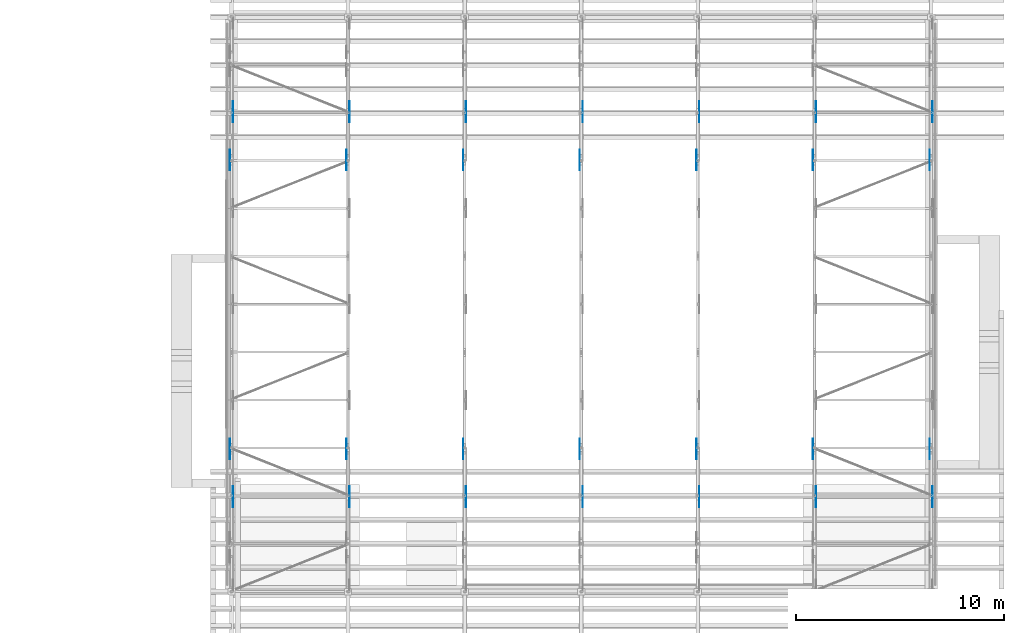
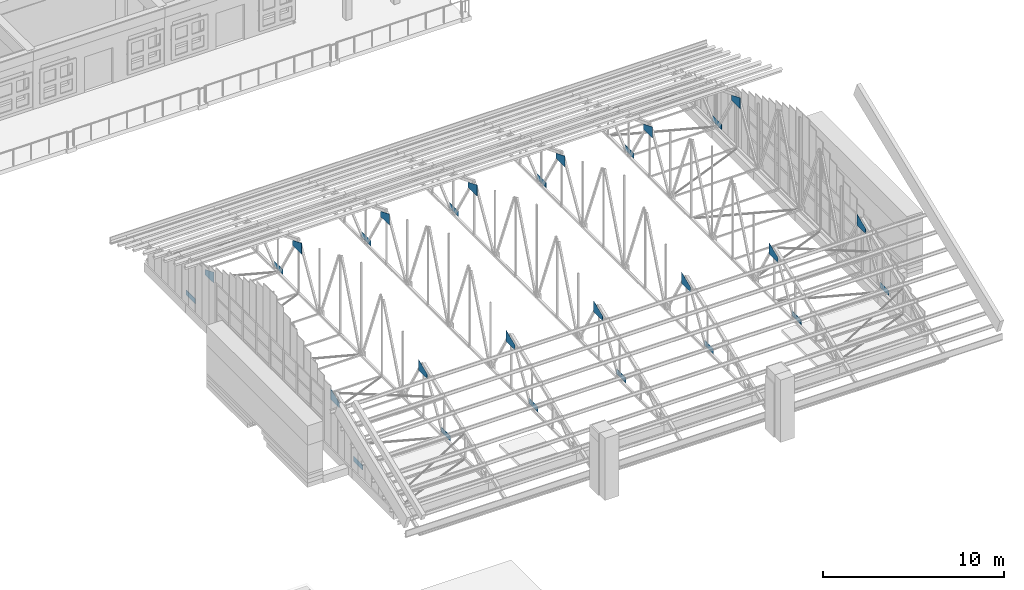
# One storey, part 46 of 71: 28 discrete accessories.
"""IFC4 building model written with IfcOpenShell, lengths in metres."""

from ifc_helpers import new_model, si_unit, direction, frame, origin, place, context, subcontext, project, spatial, polyline, outline, extrude, element, save


model = new_model("IFC4")

# Units and contexts
model_context = context("Model", 3, precision=1e-05, world=origin(), true_north=direction((0.0, 1.0)))
body_context = subcontext(model_context, "Body", "Model", "MODEL_VIEW")
ifc_project = project(units=[si_unit("LENGTHUNIT", "METRE"), si_unit("AREAUNIT", "SQUARE_METRE"), si_unit("VOLUMEUNIT", "CUBIC_METRE"), si_unit("PLANEANGLEUNIT", "RADIAN"), si_unit("MASSUNIT", "GRAM", prefix="KILO")], contexts=[model_context])

# Site, building, storey
site_placement = place(None, origin())
site = spatial("IfcSite", under=ifc_project, at=site_placement, CompositionType="ELEMENT")
building_placement = place(site_placement, origin())
building = spatial("IfcBuilding", under=site, at=building_placement, Name="Wasatch Bagh Community Centre", CompositionType="ELEMENT")
storey_placement = place(building_placement, frame((0.0, 0.0, 12.60009765625)))
storey = spatial("IfcBuildingStorey", under=building, at=storey_placement, Name="L03", CompositionType="ELEMENT", Elevation=12.60009765625)

# Discrete accessories
for number, where, z_axis, x_axis, name in (
    (1, (112.27587890625, 42.249755859375, 0.7626953125), (1.0, 0.0, 0.0), (0.0, 1.0, 0.0), "Gusset plate"),
    (2, (112.27587890625, 60.74609375, 0.7626953125), (1.0, 0.0, 0.0), (0.0, 1.0, 0.0), "Gusset plate"),
):
    element("IfcDiscreteAccessory", number, at=place(storey_placement, frame(where, z_axis=z_axis, x_axis=x_axis)), inside=storey, Name=name, PredefinedType="BRACKET", context=body_context, shape_type="SweptSolid", body=[
        extrude(outline(polyline([(0.0, 0.0), (1.004150390625, 0.0), (1.004150390625, 0.35009765625), (0.0, 0.35009765625), (0.0, 0.0)])), origin(), (0.0, 0.0, -1.0), 0.011962890625),
    ])
discrete_accessory_1_placement = place(storey_placement, frame((112.1240234375, 44.56884765625, 3.945556640625), z_axis=(-1.0, 0.0, 0.0), x_axis=(0.0, 0.926169454449, 0.37710759956)))
element("IfcDiscreteAccessory", 3, at=discrete_accessory_1_placement, inside=storey, Name="Gusset plate", PredefinedType="BRACKET", context=body_context, shape_type="SweptSolid", body=[
    extrude(outline(polyline([(0.0, 0.0), (0.5735991372292174, 0.0), (1.0626464231838049, -0.00015857187018553098), (0.7794474543738678, 0.695372981324423), (-0.13202448675989917, 0.3242497552929352), (0.0, 0.0)])), origin(), (0.0, 0.0, -1.0), 0.011962890625),
])
discrete_accessory_2_placement = place(storey_placement, frame((112.1240234375, 58.447021484375, 4.346435546875), z_axis=(-1.0, 0.0, 0.0), x_axis=(0.0, 0.92604712995, -0.377407886923)))
element("IfcDiscreteAccessory", 4, at=discrete_accessory_2_placement, inside=storey, Name="Gusset plate", PredefinedType="BRACKET", context=body_context, shape_type="SweptSolid", body=[
    extrude(outline(polyline([(0.0, 0.0), (0.48904731166277376, 2.7755575615628914e-17), (1.0626464187390938, -0.00018598750214571247), (1.194776035401086, 0.3240209422703349), (0.28342447758179057, 0.6954396903627269), (0.0, 0.0)])), origin(), (0.0, 0.0, -1.0), 0.011962890625),
])
for number, where, z_axis, x_axis, name in (
    (5, (117.8759765625, 42.249755859375, 0.7626953125), (1.0, 0.0, 0.0), (0.0, 1.0, 0.0), "Gusset plate"),
    (6, (117.8759765625, 60.74609375, 0.7626953125), (1.0, 0.0, 0.0), (0.0, 1.0, 0.0), "Gusset plate"),
):
    element("IfcDiscreteAccessory", number, at=place(storey_placement, frame(where, z_axis=z_axis, x_axis=x_axis)), inside=storey, Name=name, PredefinedType="BRACKET", context=body_context, shape_type="SweptSolid", body=[
        extrude(outline(polyline([(0.0, 0.0), (1.004150390625, 0.0), (1.004150390625, 0.35009765625), (0.0, 0.35009765625), (0.0, 0.0)])), origin(), (0.0, 0.0, -1.0), 0.011962890625),
    ])
discrete_accessory_3_placement = place(storey_placement, frame((117.72412109375, 44.56884765625, 3.945556640625), z_axis=(-1.0, 0.0, 0.0), x_axis=(0.0, 0.926169454449, 0.37710759956)))
element("IfcDiscreteAccessory", 7, at=discrete_accessory_3_placement, inside=storey, Name="Gusset plate", PredefinedType="BRACKET", context=body_context, shape_type="SweptSolid", body=[
    extrude(outline(polyline([(0.0, 0.0), (0.5735991372292174, 0.0), (1.0626464231838049, -0.00015857187018553098), (0.7794474543738678, 0.695372981324423), (-0.13202448675989917, 0.3242497552929352), (0.0, 0.0)])), origin(), (0.0, 0.0, -1.0), 0.011962890625),
])
discrete_accessory_4_placement = place(storey_placement, frame((117.72412109375, 58.447021484375, 4.346435546875), z_axis=(-1.0, 0.0, 0.0), x_axis=(0.0, 0.92604712995, -0.377407886923)))
element("IfcDiscreteAccessory", 8, at=discrete_accessory_4_placement, inside=storey, Name="Gusset plate", PredefinedType="BRACKET", context=body_context, shape_type="SweptSolid", body=[
    extrude(outline(polyline([(0.0, 0.0), (0.48904731166277376, 2.7755575615628914e-17), (1.0626464187390938, -0.00018598750214571247), (1.194776035401086, 0.3240209422703349), (0.28342447758179057, 0.6954396903627269), (0.0, 0.0)])), origin(), (0.0, 0.0, -1.0), 0.011962890625),
])
for number, where, z_axis, x_axis, name in (
    (9, (123.47607421875, 42.249755859375, 0.7626953125), (1.0, 0.0, 0.0), (0.0, 1.0, 0.0), "Gusset plate"),
    (10, (123.47607421875, 60.74609375, 0.7626953125), (1.0, 0.0, 0.0), (0.0, 1.0, 0.0), "Gusset plate"),
):
    element("IfcDiscreteAccessory", number, at=place(storey_placement, frame(where, z_axis=z_axis, x_axis=x_axis)), inside=storey, Name=name, PredefinedType="BRACKET", context=body_context, shape_type="SweptSolid", body=[
        extrude(outline(polyline([(0.0, 0.0), (1.004150390625, 0.0), (1.004150390625, 0.35009765625), (0.0, 0.35009765625), (0.0, 0.0)])), origin(), (0.0, 0.0, -1.0), 0.011962890625),
    ])
discrete_accessory_5_placement = place(storey_placement, frame((123.323974609375, 44.56884765625, 3.945556640625), z_axis=(-1.0, 0.0, 0.0), x_axis=(0.0, 0.926169454449, 0.37710759956)))
element("IfcDiscreteAccessory", 11, at=discrete_accessory_5_placement, inside=storey, Name="Gusset plate", PredefinedType="BRACKET", context=body_context, shape_type="SweptSolid", body=[
    extrude(outline(polyline([(0.0, 0.0), (0.5735991372292174, 0.0), (1.0626464231838049, -0.00015857187018553098), (0.7794474543738678, 0.695372981324423), (-0.13202448675989917, 0.3242497552929352), (0.0, 0.0)])), origin(), (0.0, 0.0, -1.0), 0.011962890625),
])
discrete_accessory_6_placement = place(storey_placement, frame((123.323974609375, 58.447021484375, 4.346435546875), z_axis=(-1.0, 0.0, 0.0), x_axis=(0.0, 0.92604712995, -0.377407886923)))
element("IfcDiscreteAccessory", 12, at=discrete_accessory_6_placement, inside=storey, Name="Gusset plate", PredefinedType="BRACKET", context=body_context, shape_type="SweptSolid", body=[
    extrude(outline(polyline([(0.0, 0.0), (0.48904731166277376, 2.7755575615628914e-17), (1.0626464187390938, -0.00018598750214571247), (1.194776035401086, 0.3240209422703349), (0.28342447758179057, 0.6954396903627269), (0.0, 0.0)])), origin(), (0.0, 0.0, -1.0), 0.011962890625),
])
for number, where, z_axis, x_axis, name in (
    (13, (129.075927734375, 42.249755859375, 0.7626953125), (1.0, 0.0, 0.0), (0.0, 1.0, 0.0), "Gusset plate"),
    (14, (129.075927734375, 60.74609375, 0.7626953125), (1.0, 0.0, 0.0), (0.0, 1.0, 0.0), "Gusset plate"),
):
    element("IfcDiscreteAccessory", number, at=place(storey_placement, frame(where, z_axis=z_axis, x_axis=x_axis)), inside=storey, Name=name, PredefinedType="BRACKET", context=body_context, shape_type="SweptSolid", body=[
        extrude(outline(polyline([(0.0, 0.0), (1.004150390625, 0.0), (1.004150390625, 0.35009765625), (0.0, 0.35009765625), (0.0, 0.0)])), origin(), (0.0, 0.0, -1.0), 0.011962890625),
    ])
discrete_accessory_7_placement = place(storey_placement, frame((128.924072265625, 44.56884765625, 3.945556640625), z_axis=(-1.0, 0.0, 0.0), x_axis=(0.0, 0.926169454449, 0.37710759956)))
element("IfcDiscreteAccessory", 15, at=discrete_accessory_7_placement, inside=storey, Name="Gusset plate", PredefinedType="BRACKET", context=body_context, shape_type="SweptSolid", body=[
    extrude(outline(polyline([(0.0, 0.0), (0.5735991372292174, 0.0), (1.0626464231838049, -0.00015857187018553098), (0.7794474543738678, 0.695372981324423), (-0.13202448675989917, 0.3242497552929352), (0.0, 0.0)])), origin(), (0.0, 0.0, -1.0), 0.011962890625),
])
discrete_accessory_8_placement = place(storey_placement, frame((128.924072265625, 58.447021484375, 4.346435546875), z_axis=(-1.0, 0.0, 0.0), x_axis=(0.0, 0.92604712995, -0.377407886923)))
element("IfcDiscreteAccessory", 16, at=discrete_accessory_8_placement, inside=storey, Name="Gusset plate", PredefinedType="BRACKET", context=body_context, shape_type="SweptSolid", body=[
    extrude(outline(polyline([(0.0, 0.0), (0.48904731166277376, 2.7755575615628914e-17), (1.0626464187390938, -0.00018598750214571247), (1.194776035401086, 0.3240209422703349), (0.28342447758179057, 0.6954396903627269), (0.0, 0.0)])), origin(), (0.0, 0.0, -1.0), 0.011962890625),
])
for number, where, z_axis, x_axis, name in (
    (17, (134.676025390625, 42.249755859375, 0.7626953125), (1.0, 0.0, 0.0), (0.0, 1.0, 0.0), "Gusset plate"),
    (18, (134.676025390625, 60.74609375, 0.7626953125), (1.0, 0.0, 0.0), (0.0, 1.0, 0.0), "Gusset plate"),
):
    element("IfcDiscreteAccessory", number, at=place(storey_placement, frame(where, z_axis=z_axis, x_axis=x_axis)), inside=storey, Name=name, PredefinedType="BRACKET", context=body_context, shape_type="SweptSolid", body=[
        extrude(outline(polyline([(0.0, 0.0), (1.004150390625, 0.0), (1.004150390625, 0.35009765625), (0.0, 0.35009765625), (0.0, 0.0)])), origin(), (0.0, 0.0, -1.0), 0.011962890625),
    ])
discrete_accessory_9_placement = place(storey_placement, frame((134.52392578125, 44.56884765625, 3.945556640625), z_axis=(-1.0, 0.0, 0.0), x_axis=(0.0, 0.926169454449, 0.37710759956)))
element("IfcDiscreteAccessory", 19, at=discrete_accessory_9_placement, inside=storey, Name="Gusset plate", PredefinedType="BRACKET", context=body_context, shape_type="SweptSolid", body=[
    extrude(outline(polyline([(0.0, 0.0), (0.5735991372292174, 0.0), (1.0626464231838049, -0.00015857187018553098), (0.7794474543738678, 0.695372981324423), (-0.13202448675989917, 0.3242497552929352), (0.0, 0.0)])), origin(), (0.0, 0.0, -1.0), 0.011962890625),
])
discrete_accessory_10_placement = place(storey_placement, frame((134.52392578125, 58.447021484375, 4.346435546875), z_axis=(-1.0, 0.0, 0.0), x_axis=(0.0, 0.92604712995, -0.377407886923)))
element("IfcDiscreteAccessory", 20, at=discrete_accessory_10_placement, inside=storey, Name="Gusset plate", PredefinedType="BRACKET", context=body_context, shape_type="SweptSolid", body=[
    extrude(outline(polyline([(0.0, 0.0), (0.48904731166277376, 2.7755575615628914e-17), (1.0626464187390938, -0.00018598750214571247), (1.194776035401086, 0.3240209422703349), (0.28342447758179057, 0.6954396903627269), (0.0, 0.0)])), origin(), (0.0, 0.0, -1.0), 0.011962890625),
])
for number, where, z_axis, x_axis, name in (
    (21, (140.27587890625, 42.249755859375, 0.7626953125), (1.0, 0.0, 0.0), (0.0, 1.0, 0.0), "Gusset plate"),
    (22, (140.27587890625, 60.74609375, 0.7626953125), (1.0, 0.0, 0.0), (0.0, 1.0, 0.0), "Gusset plate"),
):
    element("IfcDiscreteAccessory", number, at=place(storey_placement, frame(where, z_axis=z_axis, x_axis=x_axis)), inside=storey, Name=name, PredefinedType="BRACKET", context=body_context, shape_type="SweptSolid", body=[
        extrude(outline(polyline([(0.0, 0.0), (1.004150390625, 0.0), (1.004150390625, 0.35009765625), (0.0, 0.35009765625), (0.0, 0.0)])), origin(), (0.0, 0.0, -1.0), 0.011962890625),
    ])
discrete_accessory_11_placement = place(storey_placement, frame((140.1240234375, 44.56884765625, 3.945556640625), z_axis=(-1.0, 0.0, 0.0), x_axis=(0.0, 0.926169454449, 0.37710759956)))
element("IfcDiscreteAccessory", 23, at=discrete_accessory_11_placement, inside=storey, Name="Gusset plate", PredefinedType="BRACKET", context=body_context, shape_type="SweptSolid", body=[
    extrude(outline(polyline([(0.0, 0.0), (0.5735991372292174, 0.0), (1.0626464231838049, -0.00015857187018553098), (0.7794474543738678, 0.695372981324423), (-0.13202448675989917, 0.3242497552929352), (0.0, 0.0)])), origin(), (0.0, 0.0, -1.0), 0.011962890625),
])
discrete_accessory_12_placement = place(storey_placement, frame((140.1240234375, 58.447021484375, 4.346435546875), z_axis=(-1.0, 0.0, 0.0), x_axis=(0.0, 0.92604712995, -0.377407886923)))
element("IfcDiscreteAccessory", 24, at=discrete_accessory_12_placement, inside=storey, Name="Gusset plate", PredefinedType="BRACKET", context=body_context, shape_type="SweptSolid", body=[
    extrude(outline(polyline([(0.0, 0.0), (0.48904731166277376, 2.7755575615628914e-17), (1.0626464187390938, -0.00018598750214571247), (1.194776035401086, 0.3240209422703349), (0.28342447758179057, 0.6954396903627269), (0.0, 0.0)])), origin(), (0.0, 0.0, -1.0), 0.011962890625),
])
for number, where, z_axis, x_axis, name in (
    (25, (145.8759765625, 42.249755859375, 0.7626953125), (1.0, 0.0, 0.0), (0.0, 1.0, 0.0), "Gusset plate"),
    (26, (145.8759765625, 60.74609375, 0.7626953125), (1.0, 0.0, 0.0), (0.0, 1.0, 0.0), "Gusset plate"),
):
    element("IfcDiscreteAccessory", number, at=place(storey_placement, frame(where, z_axis=z_axis, x_axis=x_axis)), inside=storey, Name=name, PredefinedType="BRACKET", context=body_context, shape_type="SweptSolid", body=[
        extrude(outline(polyline([(0.0, 0.0), (1.004150390625, 0.0), (1.004150390625, 0.35009765625), (0.0, 0.35009765625), (0.0, 0.0)])), origin(), (0.0, 0.0, -1.0), 0.011962890625),
    ])
discrete_accessory_13_placement = place(storey_placement, frame((145.72412109375, 44.56884765625, 3.945556640625), z_axis=(-1.0, 0.0, 0.0), x_axis=(0.0, 0.926169454449, 0.37710759956)))
element("IfcDiscreteAccessory", 27, at=discrete_accessory_13_placement, inside=storey, Name="Gusset plate", PredefinedType="BRACKET", context=body_context, shape_type="SweptSolid", body=[
    extrude(outline(polyline([(0.0, 0.0), (0.5735991372292174, 0.0), (1.0626464231838049, -0.00015857187018553098), (0.7794474543738678, 0.695372981324423), (-0.13202448675989917, 0.3242497552929352), (0.0, 0.0)])), origin(), (0.0, 0.0, -1.0), 0.011962890625),
])
discrete_accessory_14_placement = place(storey_placement, frame((145.72412109375, 58.447021484375, 4.346435546875), z_axis=(-1.0, 0.0, 0.0), x_axis=(0.0, 0.92604712995, -0.377407886923)))
element("IfcDiscreteAccessory", 28, at=discrete_accessory_14_placement, inside=storey, Name="Gusset plate", PredefinedType="BRACKET", context=body_context, shape_type="SweptSolid", body=[
    extrude(outline(polyline([(0.0, 0.0), (0.48904731166277376, 2.7755575615628914e-17), (1.0626464187390938, -0.00018598750214571247), (1.194776035401086, 0.3240209422703349), (0.28342447758179057, 0.6954396903627269), (0.0, 0.0)])), origin(), (0.0, 0.0, -1.0), 0.011962890625),
])

save(model, "model.ifc")
